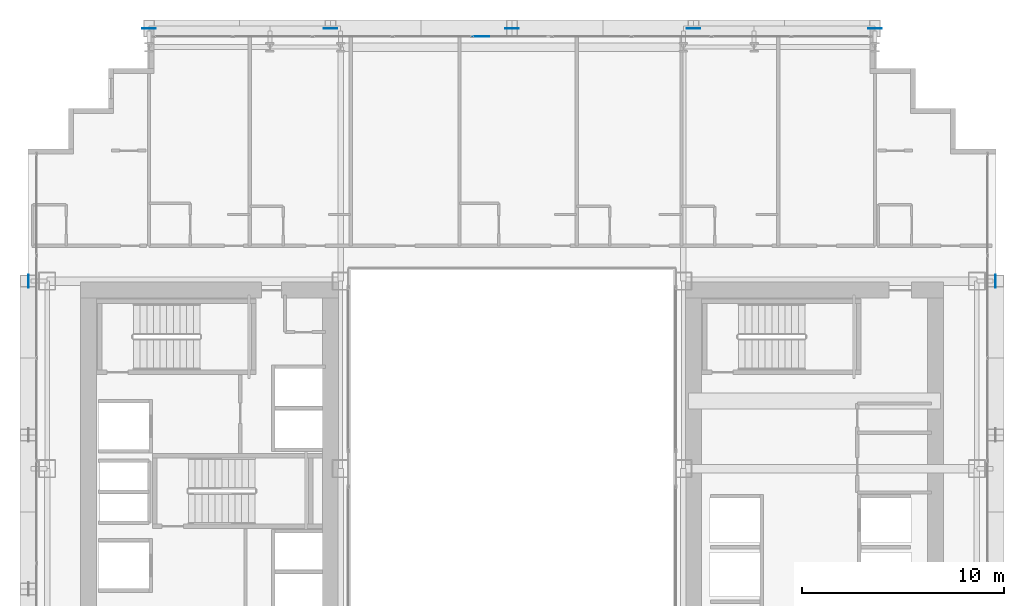
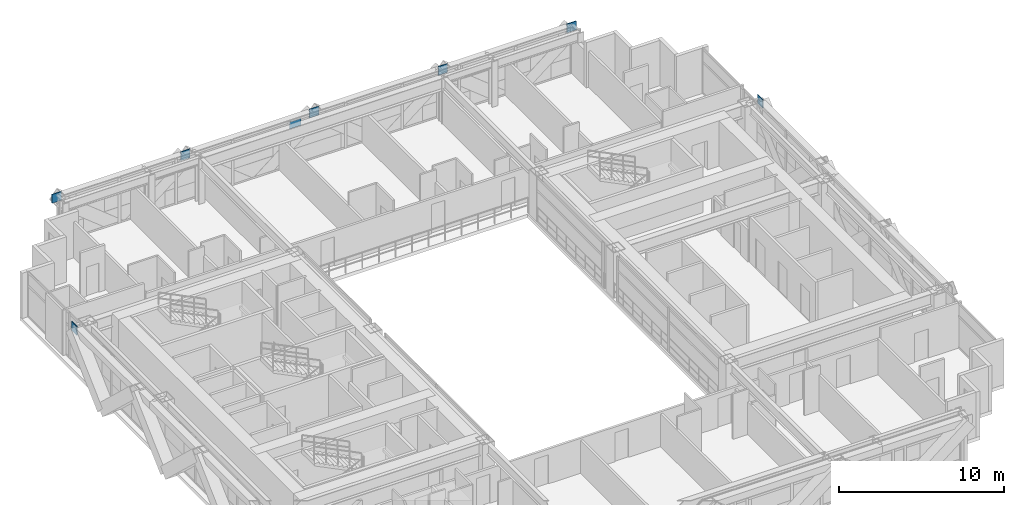
# One storey, part 32 of 41: 8 plates, 1 element without a shape of its own.
"""IFC4 building model written with IfcOpenShell, lengths in metres."""

from ifc_helpers import new_model, si_unit, direction, frame, origin, origin_2d, place, context, subcontext, project, spatial, rectangle, extrude, source, transform, mapped, material, layer, layer_set, type_object, element, aggregate, save


model = new_model("IFC4")

# Units and contexts
model_context = context("Model", 3, precision=1e-05, world=origin(), true_north=direction((0.0, 1.0)))
body_context = subcontext(model_context, "Body", "Model", "MODEL_VIEW")
ifc_project = project(units=[si_unit("LENGTHUNIT", "METRE"), si_unit("AREAUNIT", "SQUARE_METRE"), si_unit("VOLUMEUNIT", "CUBIC_METRE"), si_unit("PLANEANGLEUNIT", "RADIAN"), si_unit("MASSUNIT", "GRAM", prefix="KILO")], contexts=[model_context])

# Site, building, storey
site_placement = place(None, origin())
site = spatial("IfcSite", under=ifc_project, at=site_placement, CompositionType="ELEMENT")
building_placement = place(site_placement, origin())
building = spatial("IfcBuilding", under=site, at=building_placement, Name="Ocotamira Hotel", CompositionType="ELEMENT")
storey_placement = place(building_placement, frame((0.0, 0.0, 67.199951171875)))
storey = spatial("IfcBuildingStorey", under=building, at=storey_placement, Name="L16", CompositionType="ELEMENT", Elevation=67.199951171875)

# Plates
ifc_material_1 = material(Name="Pale-metal coated steel ASTM A572 Grade 50", Category="steel")
ifc_layer_1 = layer(ifc_material_1, 0.0400390625)
ifc_layer_set_1 = layer_set([ifc_layer_1], Name="Pale-metal coated steel ASTM A572 Grade 50")
plate_type_1 = type_object("IfcPlateType", Name="PLT-GUSSET-40", PredefinedType="SHEET", material=ifc_layer_set_1)
shared_shape_1 = source(origin(), body_context, "Body", "SweptSolid", [
    extrude(rectangle(XDim=0.64990234375, YDim=0.0400390625, at=origin_2d()), origin(), (0.0, 0.0, 1.0), 0.64990234375),
])
for number, where, z_axis, x_axis, name in (
    (1, (14.0, 49.969970703125, 2.775146484375), (0.0, 0.0, 1.0), (-1.0, 0.0, 0.0), "L16 Exoskeleton Diagrid N0.1 End Gusset B"),
    (2, (23.0, 49.969970703125, 2.775146484375), (0.0, 0.0, 1.0), (1.0, 0.0, 0.0), "L16 Exoskeleton Diagrid N0.2 End Gusset B"),
    (3, (32.0, 49.969970703125, 2.775146484375), (0.0, 0.0, 1.0), (1.0, 0.0, 0.0), "L16 Exoskeleton Diagrid N1.2 End Gusset B"),
    (4, (41.0, 49.969970703125, 2.775146484375), (0.0, 0.0, 1.0), (1.0, 0.0, 0.0), "L16 Exoskeleton Diagrid N2.2 End Gusset B"),
    (5, (50.0, 49.969970703125, 2.775146484375), (0.0, 0.0, 1.0), (1.0, 0.0, 0.0), "L16 Exoskeleton Diagrid N3.2 End Gusset B"),
):
    element("IfcPlate", number, at=place(storey_placement, frame(where, z_axis=z_axis, x_axis=x_axis)), inside=storey, type_object=plate_type_1, Name=name, PredefinedType="SHEET", context=body_context, shape_type="MappedRepresentation", body=[
        mapped(shared_shape_1, transform((0.0, 0.0, 0.0), scale=1.0)),
    ])
shared_shape_2 = source(origin(), body_context, "Body", "SweptSolid", [
    extrude(rectangle(XDim=0.0400390625, YDim=0.64990234375, at=origin_2d()), origin(), (0.0, 0.0, 1.0), 0.64990234375),
])
for number, where, z_axis, x_axis, name in (
    (6, (8.030029296875, 37.449951171875, 2.775146484375), (0.0, 0.0, 1.0), (1.0, 0.0, 0.0), "L16 Exoskeleton Diagrid W2.2 End Gusset B"),
    (7, (55.969970703125, 37.449951171875, 2.775146484375), (0.0, 0.0, 1.0), (1.0, 0.0, 0.0), "L16 Exoskeleton Diagrid E2.2 End Gusset B"),
):
    element("IfcPlate", number, at=place(storey_placement, frame(where, z_axis=z_axis, x_axis=x_axis)), inside=storey, type_object=plate_type_1, Name=name, PredefinedType="SHEET", context=body_context, shape_type="MappedRepresentation", body=[
        mapped(shared_shape_2, transform((0.0, 0.0, 0.0), scale=1.0)),
    ])

# Curtain wall, plate
ifc_material_2 = material(Name="Anodised pale-metal aluminium and solar glass", Category="aluminium")
ifc_layer_2 = layer(ifc_material_2, 0.179931640625)
ifc_layer_set_2 = layer_set([ifc_layer_2], Name="Anodised pale-metal aluminium and solar glass")
curtain_wall_type = type_object("IfcCurtainWallType", Name="CW-SYS2-Z1", PredefinedType="NOTDEFINED", material=ifc_layer_set_2)
curtain_wall_placement = place(storey_placement, origin())
curtain_wall = element("IfcCurtainWall", 8, at=curtain_wall_placement, inside=storey, type_object=curtain_wall_type, Name="L16 Curtain Wall CW-2 CW-L16-N", PredefinedType="NOTDEFINED")
ifc_material_3 = material(Name="Double-silver low-E insulated solar glass", Category="glass")
ifc_layer_3 = layer(ifc_material_3, 0.031982421875)
ifc_layer_set_3 = layer_set([ifc_layer_3], Name="Double-silver low-E insulated solar glass")
plate_type_2 = type_object("IfcPlateType", Name="CWP-VISION-32", PredefinedType="CURTAIN_PANEL", material=ifc_layer_set_3)
shared_shape_3 = source(origin(), body_context, "Body", "SweptSolid", [
    extrude(rectangle(XDim=0.797607421875, YDim=0.031982421875, at=origin_2d()), origin(), (0.0, 0.0, 1.0), 0.5107421875),
])
plate_placement = place(storey_placement, frame((30.461181640625, 49.580078125, 2.76416015625), z_axis=(0.0, 0.0, 1.0), x_axis=(1.0, 0.0, 0.0)))
plate = element("IfcPlate", 9, at=plate_placement, type_object=plate_type_2, Name="CW-2 panel 5.2.1", PredefinedType="CURTAIN_PANEL", context=body_context, shape_type="MappedRepresentation", body=[
    mapped(shared_shape_3, transform((0.0, 0.0, 0.0), scale=1.0)),
])
aggregate(curtain_wall, [plate])

save(model, "model.ifc")
